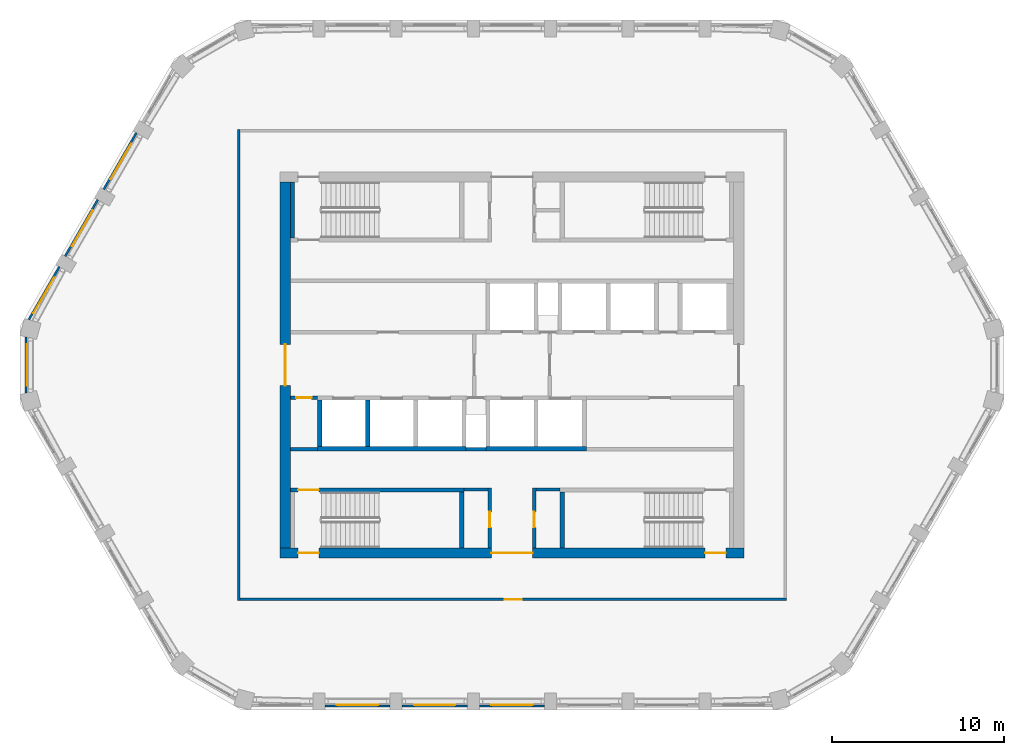
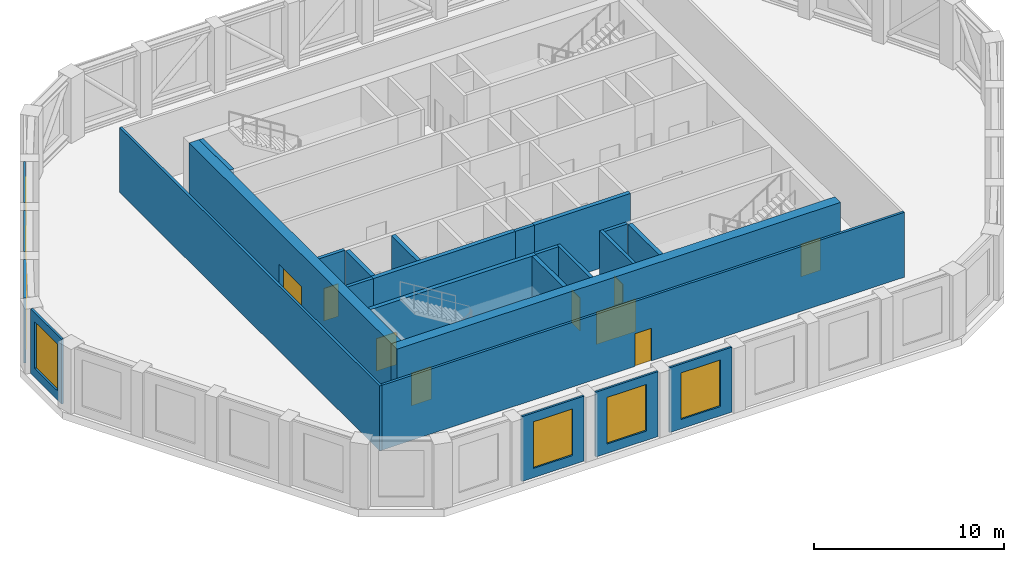
# One storey, part 3 of 14: 26 walls, 9 doors, 7 windows, 16 openings.
"""IFC4 building model written with IfcOpenShell, lengths in metres."""

from ifc_helpers import new_model, si_unit, direction, frame, frame_2d, origin, place, context, subcontext, project, spatial, polyline, rectangle, outline, extrude, material, layer, layer_set, type_object, element, fill, save


model = new_model("IFC4")

# Units and contexts
model_context = context("Model", 3, precision=1e-05, world=origin(), true_north=direction((0.0, 1.0)))
body_context = subcontext(model_context, "Body", "Model", "MODEL_VIEW")
ifc_project = project(units=[si_unit("LENGTHUNIT", "METRE"), si_unit("AREAUNIT", "SQUARE_METRE"), si_unit("VOLUMEUNIT", "CUBIC_METRE"), si_unit("PLANEANGLEUNIT", "RADIAN"), si_unit("MASSUNIT", "GRAM", prefix="KILO")], contexts=[model_context])

# Site, building, storey
site_placement = place(None, origin())
site = spatial("IfcSite", under=ifc_project, at=site_placement, CompositionType="ELEMENT")
building_placement = place(site_placement, origin())
building = spatial("IfcBuilding", under=site, at=building_placement, Name="Dhurran Vertical Campus", CompositionType="ELEMENT")
storey_placement = place(building_placement, frame((0.0, 0.0, 282.0)))
storey = spatial("IfcBuildingStorey", under=building, at=storey_placement, Name="L70 Plant", CompositionType="ELEMENT", Elevation=282.0)

# Wall, opening, window
ifc_material_1 = material(Name="Precast concrete C50/60", Category="concrete")
ifc_layer_1 = layer(ifc_material_1, 0.1201171875)
ifc_layer_set_1 = layer_set([ifc_layer_1], Name="Precast concrete C50/60")
wall_type_1 = type_object("IfcWallType", Name="Precast louvre-bay panel 120", PredefinedType="SOLIDWALL", material=ifc_layer_set_1)
wall_1_placement = place(storey_placement, frame((-10.8994140625, -19.8515625, 0.0), z_axis=(0.0, 0.0, 1.0), x_axis=(1.0, 0.0, 0.0)))
wall_1 = element("IfcWall", 1, at=wall_1_placement, inside=storey, type_object=wall_type_1, Name="EW4 L70.01", PredefinedType="SOLIDWALL", context=body_context, shape_type="SweptSolid", body=[
    extrude(rectangle(XDim=3.798828125, YDim=0.1201171875, at=frame_2d((1.8994140625, 0.0))), origin(), (0.0, 0.0, 1.0), 4.175048828125),
])
opening_1_placement = place(wall_1_placement, frame((0.699462890625, 0.0, 0.60009765625)))
opening_1 = element("IfcOpeningElement", 2, at=opening_1_placement, cuts=wall_1, Name="Opening WT4", PredefinedType="OPENING", context=body_context, shape_type="SweptSolid", body=[
    extrude(rectangle(XDim=2.39990234375, YDim=3.0, at=frame_2d((1.199951171875, 1.5))), frame((0.0, 0.070068359375, 0.0), z_axis=(0.0, -1.0, 0.0), x_axis=(1.0, 0.0, 0.0)), (0.0, 0.0, 1.0), 0.14013671875),
])
ifc_material_2 = material(Name="Aluminium louvre", Category="aluminium")
window_type = type_object("IfcWindowType", Name="Louvred plant vent 2400 x 3000", PartitioningType="SINGLE_PANEL", PredefinedType="WINDOW", material=ifc_material_2)
window_1_placement = place(opening_1_placement, origin())
window_1 = element("IfcWindow", 3, at=window_1_placement, inside=storey, type_object=window_type, Name="WT4 L70.01", OverallHeight=3.0, OverallWidth=2.39990234375, PartitioningType="SINGLE_PANEL", PredefinedType="WINDOW", context=body_context, shape_type="SweptSolid", body=[
    extrude(rectangle(XDim=2.39990234375, YDim=3.0, at=frame_2d((1.199951171875, 1.5))), frame((0.0, 0.06005859375, 0.0), z_axis=(0.0, -1.0, 0.0), x_axis=(1.0, 0.0, 0.0)), (0.0, 0.0, 1.0), 0.02001953125),
])
fill(opening_1, window_1)

wall_2_placement = place(storey_placement, frame((-6.3994140625, -19.8515625, 0.0), z_axis=(0.0, 0.0, 1.0), x_axis=(1.0, 0.0, 0.0)))
wall_2 = element("IfcWall", 4, at=wall_2_placement, inside=storey, type_object=wall_type_1, Name="EW4 L70.02", PredefinedType="SOLIDWALL", context=body_context, shape_type="SweptSolid", body=[
    extrude(rectangle(XDim=3.798828125, YDim=0.1201171875, at=frame_2d((1.8994140625, 0.0))), origin(), (0.0, 0.0, 1.0), 4.175048828125),
])
opening_2_placement = place(wall_2_placement, frame((0.699462890625, 0.0, 0.60009765625)))
opening_2 = element("IfcOpeningElement", 5, at=opening_2_placement, cuts=wall_2, Name="Opening WT4", PredefinedType="OPENING", context=body_context, shape_type="SweptSolid", body=[
    extrude(rectangle(XDim=2.39990234375, YDim=3.0, at=frame_2d((1.199951171875, 1.5))), frame((0.0, 0.070068359375, 0.0), z_axis=(0.0, -1.0, 0.0), x_axis=(1.0, 0.0, 0.0)), (0.0, 0.0, 1.0), 0.14013671875),
])
window_2_placement = place(opening_2_placement, origin())
window_2 = element("IfcWindow", 6, at=window_2_placement, inside=storey, type_object=window_type, Name="WT4 L70.02", OverallHeight=3.0, OverallWidth=2.39990234375, PartitioningType="SINGLE_PANEL", PredefinedType="WINDOW", context=body_context, shape_type="SweptSolid", body=[
    extrude(rectangle(XDim=2.39990234375, YDim=3.0, at=frame_2d((1.199951171875, 1.5))), frame((0.0, 0.06005859375, 0.0), z_axis=(0.0, -1.0, 0.0), x_axis=(1.0, 0.0, 0.0)), (0.0, 0.0, 1.0), 0.02001953125),
])
fill(opening_2, window_2)

wall_3_placement = place(storey_placement, frame((-1.8994140625, -19.8515625, 0.0), z_axis=(0.0, 0.0, 1.0), x_axis=(1.0, 0.0, 0.0)))
wall_3 = element("IfcWall", 7, at=wall_3_placement, inside=storey, type_object=wall_type_1, Name="EW4 L70.03", PredefinedType="SOLIDWALL", context=body_context, shape_type="SweptSolid", body=[
    extrude(rectangle(XDim=3.798828125, YDim=0.1201171875, at=frame_2d((1.8994140625, 0.0))), origin(), (0.0, 0.0, 1.0), 4.175048828125),
])
opening_3_placement = place(wall_3_placement, frame((0.699462890625, 0.0, 0.60009765625)))
opening_3 = element("IfcOpeningElement", 8, at=opening_3_placement, cuts=wall_3, Name="Opening WT4", PredefinedType="OPENING", context=body_context, shape_type="SweptSolid", body=[
    extrude(rectangle(XDim=2.39990234375, YDim=3.0, at=frame_2d((1.199951171875, 1.5))), frame((0.0, 0.070068359375, 0.0), z_axis=(0.0, -1.0, 0.0), x_axis=(1.0, 0.0, 0.0)), (0.0, 0.0, 1.0), 0.14013671875),
])
window_3_placement = place(opening_3_placement, origin())
window_3 = element("IfcWindow", 9, at=window_3_placement, inside=storey, type_object=window_type, Name="WT4 L70.03", OverallHeight=3.0, OverallWidth=2.39990234375, PartitioningType="SINGLE_PANEL", PredefinedType="WINDOW", context=body_context, shape_type="SweptSolid", body=[
    extrude(rectangle(XDim=2.39990234375, YDim=3.0, at=frame_2d((1.199951171875, 1.5))), frame((0.0, 0.06005859375, 0.0), z_axis=(0.0, -1.0, 0.0), x_axis=(1.0, 0.0, 0.0)), (0.0, 0.0, 1.0), 0.02001953125),
])
fill(opening_3, window_3)

wall_4_placement = place(storey_placement, frame((-21.8671875, 13.519287109375, 0.0), z_axis=(0.0, 0.0, 1.0), x_axis=(-0.499982058975, -0.866035761792, 0.0)))
wall_4 = element("IfcWall", 10, at=wall_4_placement, inside=storey, type_object=wall_type_1, Name="EW4 L70.27", PredefinedType="SOLIDWALL", context=body_context, shape_type="SweptSolid", body=[
    extrude(rectangle(XDim=3.799072265625, YDim=0.1201171875, at=frame_2d((1.8994140625, 0.0))), origin(), (0.0, 0.0, 1.0), 4.175048828125),
])
opening_4_placement = place(wall_4_placement, frame((0.699462890625, 0.0, 0.60009765625)))
opening_4 = element("IfcOpeningElement", 11, at=opening_4_placement, cuts=wall_4, Name="Opening WT4", PredefinedType="OPENING", context=body_context, shape_type="SweptSolid", body=[
    extrude(rectangle(XDim=2.39990234375, YDim=3.0, at=frame_2d((1.199951171875, 1.5))), frame((0.0, 0.070068359375, 0.0), z_axis=(0.0, -1.0, 0.0), x_axis=(1.0, 0.0, 0.0)), (0.0, 0.0, 1.0), 0.14013671875),
])
window_4_placement = place(opening_4_placement, origin())
window_4 = element("IfcWindow", 12, at=window_4_placement, inside=storey, type_object=window_type, Name="WT4 L70.27", OverallHeight=3.0, OverallWidth=2.39990234375, PartitioningType="SINGLE_PANEL", PredefinedType="WINDOW", context=body_context, shape_type="SweptSolid", body=[
    extrude(rectangle(XDim=2.39990234375, YDim=3.0, at=frame_2d((1.199951171875, 1.5))), frame((0.0, 0.06005859375, 0.0), z_axis=(0.0, -1.0, 0.0), x_axis=(1.0, 0.0, 0.0)), (0.0, 0.0, 1.0), 0.02001953125),
])
fill(opening_4, window_4)

wall_5_placement = place(storey_placement, frame((-24.1171875, 9.622314453125, 0.0), z_axis=(0.0, 0.0, 1.0), x_axis=(-0.499982058975, -0.866035761792, 0.0)))
wall_5 = element("IfcWall", 13, at=wall_5_placement, inside=storey, type_object=wall_type_1, Name="EW4 L70.28", PredefinedType="SOLIDWALL", context=body_context, shape_type="SweptSolid", body=[
    extrude(rectangle(XDim=3.799072265625, YDim=0.1201171875, at=frame_2d((1.8994140625, 0.0))), origin(), (0.0, 0.0, 1.0), 4.175048828125),
])
opening_5_placement = place(wall_5_placement, frame((0.699462890625, 0.0, 0.60009765625)))
opening_5 = element("IfcOpeningElement", 14, at=opening_5_placement, cuts=wall_5, Name="Opening WT4", PredefinedType="OPENING", context=body_context, shape_type="SweptSolid", body=[
    extrude(rectangle(XDim=2.39990234375, YDim=3.0, at=frame_2d((1.199951171875, 1.5))), frame((0.0, 0.070068359375, 0.0), z_axis=(0.0, -1.0, 0.0), x_axis=(1.0, 0.0, 0.0)), (0.0, 0.0, 1.0), 0.14013671875),
])
window_5_placement = place(opening_5_placement, origin())
window_5 = element("IfcWindow", 15, at=window_5_placement, inside=storey, type_object=window_type, Name="WT4 L70.28", OverallHeight=3.0, OverallWidth=2.39990234375, PartitioningType="SINGLE_PANEL", PredefinedType="WINDOW", context=body_context, shape_type="SweptSolid", body=[
    extrude(rectangle(XDim=2.39990234375, YDim=3.0, at=frame_2d((1.199951171875, 1.5))), frame((0.0, 0.06005859375, 0.0), z_axis=(0.0, -1.0, 0.0), x_axis=(1.0, 0.0, 0.0)), (0.0, 0.0, 1.0), 0.02001953125),
])
fill(opening_5, window_5)

wall_6_placement = place(storey_placement, frame((-26.354736328125, 5.718017578125, 0.0), z_axis=(0.0, 0.0, 1.0), x_axis=(-0.499994435258, -0.866028616566, 0.0)))
wall_6 = element("IfcWall", 16, at=wall_6_placement, inside=storey, type_object=wall_type_1, Name="EW4 L70.29", PredefinedType="SOLIDWALL", context=body_context, shape_type="SweptSolid", body=[
    extrude(rectangle(XDim=3.54833984375, YDim=0.1201171875, at=frame_2d((1.774169921875, 0.0))), origin(), (0.0, 0.0, 1.0), 4.175048828125),
])
opening_6_placement = place(wall_6_placement, frame((0.699462890625, 0.0, 0.60009765625)))
opening_6 = element("IfcOpeningElement", 17, at=opening_6_placement, cuts=wall_6, Name="Opening WT4", PredefinedType="OPENING", context=body_context, shape_type="SweptSolid", body=[
    extrude(rectangle(XDim=2.39990234375, YDim=3.0, at=frame_2d((1.199951171875, 1.5))), frame((0.0, 0.070068359375, 0.0), z_axis=(0.0, -1.0, 0.0), x_axis=(1.0, 0.0, 0.0)), (0.0, 0.0, 1.0), 0.14013671875),
])
window_6_placement = place(opening_6_placement, origin())
window_6 = element("IfcWindow", 18, at=window_6_placement, inside=storey, type_object=window_type, Name="WT4 L70.29", OverallHeight=3.0, OverallWidth=2.39990234375, PartitioningType="SINGLE_PANEL", PredefinedType="WINDOW", context=body_context, shape_type="SweptSolid", body=[
    extrude(rectangle(XDim=2.39990234375, YDim=3.0, at=frame_2d((1.199951171875, 1.5))), frame((0.0, 0.06005859375, 0.0), z_axis=(0.0, -1.0, 0.0), x_axis=(1.0, 0.0, 0.0)), (0.0, 0.0, 1.0), 0.02001953125),
])
fill(opening_6, window_6)

wall_7_placement = place(storey_placement, frame((-28.297607421875, 1.622314453125, 0.0), z_axis=(0.0, 0.0, 1.0), x_axis=(0.0, -1.0, 0.0)))
wall_7 = element("IfcWall", 19, at=wall_7_placement, inside=storey, type_object=wall_type_1, Name="EW4 L70.30", PredefinedType="SOLIDWALL", context=body_context, shape_type="SweptSolid", body=[
    extrude(rectangle(XDim=3.24462890625, YDim=0.1201171875, at=frame_2d((1.622314453125, 0.0))), origin(), (0.0, 0.0, 1.0), 4.175048828125),
])
opening_7_placement = place(wall_7_placement, frame((0.42236328125, 0.0, 0.60009765625)))
opening_7 = element("IfcOpeningElement", 20, at=opening_7_placement, cuts=wall_7, Name="Opening WT4", PredefinedType="OPENING", context=body_context, shape_type="SweptSolid", body=[
    extrude(rectangle(XDim=2.39990234375, YDim=3.0, at=frame_2d((1.199951171875, 1.5))), frame((0.0, 0.070068359375, 0.0), z_axis=(0.0, -1.0, 0.0), x_axis=(1.0, 0.0, 0.0)), (0.0, 0.0, 1.0), 0.14013671875),
])
window_7_placement = place(opening_7_placement, origin())
window_7 = element("IfcWindow", 21, at=window_7_placement, inside=storey, type_object=window_type, Name="WT4 L70.30", OverallHeight=3.0, OverallWidth=2.39990234375, PartitioningType="SINGLE_PANEL", PredefinedType="WINDOW", context=body_context, shape_type="SweptSolid", body=[
    extrude(rectangle(XDim=2.39990234375, YDim=3.0, at=frame_2d((1.199951171875, 1.5))), frame((0.0, 0.06005859375, 0.0), z_axis=(0.0, -1.0, 0.0), x_axis=(1.0, 0.0, 0.0)), (0.0, 0.0, 1.0), 0.02001953125),
])
fill(opening_7, window_7)

# Wall, openings, doors
ifc_material_3 = material(Name="Concrete C50/60", Category="concrete")
ifc_layer_2 = layer(ifc_material_3, 0.60009765625)
ifc_layer_set_2 = layer_set([ifc_layer_2], Name="Concrete C50/60")
wall_type_2 = type_object("IfcWallType", Name="co-CORE-WALL-C2-600", PredefinedType="SHEAR", material=ifc_layer_set_2)
wall_8_placement = place(storey_placement, frame((-13.5, -10.949951171875, 0.0), z_axis=(0.0, 0.0, 1.0), x_axis=(1.0, 0.0, 0.0)))
wall_8 = element("IfcWall", 22, at=wall_8_placement, inside=storey, type_object=wall_type_2, Name="Core wall S L70", PredefinedType="SHEAR", context=body_context, shape_type="SweptSolid", body=[
    extrude(rectangle(XDim=27.0, YDim=0.60009765625, at=frame_2d((13.5, 0.0))), origin(), (0.0, 0.0, 1.0), 4.175048828125),
])
opening_8_placement = place(wall_8_placement, frame((12.300048828125, 0.0, 0.0)))
opening_8 = element("IfcOpeningElement", 23, at=opening_8_placement, cuts=wall_8, Name="Opening CV2", PredefinedType="OPENING", context=body_context, shape_type="SweptSolid", body=[
    extrude(rectangle(XDim=2.39990234375, YDim=2.10009765625, at=frame_2d((1.199951171875, 1.050048828125))), frame((0.0, 0.31005859375, 0.0), z_axis=(0.0, -1.0, 0.0), x_axis=(1.0, 0.0, 0.0)), (0.0, 0.0, 1.0), 0.6201171875),
])
opening_9_placement = place(wall_8_placement, frame((1.050048828125, 0.0, 0.0)))
opening_9 = element("IfcOpeningElement", 24, at=opening_9_placement, cuts=wall_8, Name="Opening XD3", PredefinedType="OPENING", context=body_context, shape_type="SweptSolid", body=[
    extrude(rectangle(XDim=1.199951171875, YDim=2.10009765625, at=frame_2d((0.60009765625, 1.050048828125))), frame((0.0, 0.31005859375, 0.0), z_axis=(0.0, -1.0, 0.0), x_axis=(1.0, 0.0, 0.0)), (0.0, 0.0, 1.0), 0.6201171875),
])
opening_10_placement = place(wall_8_placement, frame((24.75, 0.0, 0.0)))
opening_10 = element("IfcOpeningElement", 25, at=opening_10_placement, cuts=wall_8, Name="Opening XD4", PredefinedType="OPENING", context=body_context, shape_type="SweptSolid", body=[
    extrude(rectangle(XDim=1.199951171875, YDim=2.10009765625, at=frame_2d((0.60009765625, 1.050048828125))), frame((0.0, 0.31005859375, 0.0), z_axis=(0.0, -1.0, 0.0), x_axis=(1.0, 0.0, 0.0)), (0.0, 0.0, 1.0), 0.6201171875),
])
ifc_material_4 = material(Name="Fire-rated glazed door set")
door_type_1 = type_object("IfcDoorType", Name="co-D-LOBBY 2400x2100", OperationType="DOUBLE_DOOR_DOUBLE_SWING", PredefinedType="DOOR", material=ifc_material_4)
door_1_placement = place(opening_8_placement, origin())
door_1 = element("IfcDoor", 26, at=door_1_placement, inside=storey, type_object=door_type_1, Name="Core vestibule door S L70", OperationType="DOUBLE_DOOR_DOUBLE_SWING", OverallHeight=2.10009765625, OverallWidth=2.39990234375, PredefinedType="DOOR", context=body_context, shape_type="SweptSolid", body=[
    extrude(rectangle(XDim=2.39990234375, YDim=2.10009765625, at=frame_2d((1.199951171875, 1.050048828125))), frame((0.0, 0.02490234375, 0.0), z_axis=(0.0, -1.0, 0.0), x_axis=(1.0, 0.0, 0.0)), (0.0, 0.0, 1.0), 0.050048828125),
])
fill(opening_8, door_1)
ifc_material_5 = material(Name="Fire-rated steel door set", Category="steel")
door_type_2 = type_object("IfcDoorType", Name="co-D-STAIR-EXIT 1200x2100", OperationType="SINGLE_SWING_RIGHT", PredefinedType="DOOR", material=ifc_material_5)
door_2_placement = place(opening_9_placement, origin())
door_2 = element("IfcDoor", 27, at=door_2_placement, inside=storey, type_object=door_type_2, Name="Stair ST3 exit door L70", OperationType="SINGLE_SWING_RIGHT", OverallHeight=2.10009765625, OverallWidth=1.199951171875, PredefinedType="DOOR", context=body_context, shape_type="SweptSolid", body=[
    extrude(rectangle(XDim=1.199951171875, YDim=2.10009765625, at=frame_2d((0.60009765625, 1.050048828125))), frame((0.0, 0.02490234375, 0.0), z_axis=(0.0, -1.0, 0.0), x_axis=(1.0, 0.0, 0.0)), (0.0, 0.0, 1.0), 0.050048828125),
])
fill(opening_9, door_2)
door_3_placement = place(opening_10_placement, origin())
door_3 = element("IfcDoor", 28, at=door_3_placement, inside=storey, type_object=door_type_2, Name="Stair ST4 exit door L70", OperationType="SINGLE_SWING_RIGHT", OverallHeight=2.10009765625, OverallWidth=1.199951171875, PredefinedType="DOOR", context=body_context, shape_type="SweptSolid", body=[
    extrude(rectangle(XDim=1.199951171875, YDim=2.10009765625, at=frame_2d((0.60009765625, 1.050048828125))), frame((0.0, 0.02490234375, 0.0), z_axis=(0.0, -1.0, 0.0), x_axis=(1.0, 0.0, 0.0)), (0.0, 0.0, 1.0), 0.050048828125),
])
fill(opening_10, door_3)

# Wall, opening, door
wall_9_placement = place(storey_placement, frame((-13.199951171875, -10.64990234375, 0.0), z_axis=(0.0, 0.0, 1.0), x_axis=(0.0, 1.0, 0.0)))
wall_9 = element("IfcWall", 29, at=wall_9_placement, inside=storey, type_object=wall_type_2, Name="Core wall W L70", PredefinedType="SHEAR", context=body_context, shape_type="SweptSolid", body=[
    extrude(rectangle(XDim=21.2998046875, YDim=0.60009765625, at=frame_2d((10.64990234375, 0.0))), origin(), (0.0, 0.0, 1.0), 4.175048828125),
])
opening_11_placement = place(wall_9_placement, frame((9.449951171875, 0.0, 0.0)))
opening_11 = element("IfcOpeningElement", 30, at=opening_11_placement, cuts=wall_9, Name="Opening CL1", PredefinedType="OPENING", context=body_context, shape_type="SweptSolid", body=[
    extrude(rectangle(XDim=2.39990234375, YDim=2.10009765625, at=frame_2d((1.199951171875, 1.050048828125))), frame((0.0, 0.31005859375, 0.0), z_axis=(0.0, -1.0, 0.0), x_axis=(1.0, 0.0, 0.0)), (0.0, 0.0, 1.0), 0.6201171875),
])
door_4_placement = place(opening_11_placement, origin())
door_4 = element("IfcDoor", 31, at=door_4_placement, inside=storey, type_object=door_type_1, Name="Lift lobby door W L70", OperationType="DOUBLE_DOOR_DOUBLE_SWING", OverallHeight=2.10009765625, OverallWidth=2.39990234375, PredefinedType="DOOR", context=body_context, shape_type="SweptSolid", body=[
    extrude(rectangle(XDim=2.39990234375, YDim=2.10009765625, at=frame_2d((1.199951171875, 1.050048828125))), frame((0.0, 0.02490234375, 0.0), z_axis=(0.0, -1.0, 0.0), x_axis=(1.0, 0.0, 0.0)), (0.0, 0.0, 1.0), 0.050048828125),
])
fill(opening_11, door_4)

# Walls
ifc_material_6 = material(Name="Fire-rated masonry blockwork", Category="masonry")
ifc_layer_3 = layer(ifc_material_6, 0.199951171875)
ifc_layer_set_3 = layer_set([ifc_layer_3], Name="Fire-rated masonry blockwork")
wall_type_3 = type_object("IfcWallType", Name="co-FIRE-PARTITION-200", PredefinedType="PARTITIONING", material=ifc_layer_set_3)
for number, where, z_axis, x_axis, name in (
    (32, (-2.800048828125, -7.25, 0.0), (0.0, 0.0, 1.0), (1.0, 0.0, 0.0), "Core partition sl-SW-S L70"),
    (33, (1.39990234375, -7.25, 0.0), (0.0, 0.0, 1.0), (1.0, 0.0, 0.0), "Core partition sl-SE-S L70"),
):
    element("IfcWall", number, at=place(storey_placement, frame(where, z_axis=z_axis, x_axis=x_axis)), inside=storey, type_object=wall_type_3, Name=name, PredefinedType="PARTITIONING", context=body_context, shape_type="SweptSolid", body=[
        extrude(rectangle(XDim=1.400146484375, YDim=0.199951171875, at=frame_2d((0.7001953125, 0.0))), origin(), (0.0, 0.0, 1.0), 4.175048828125),
    ])

# Wall, opening, door
wall_10_placement = place(storey_placement, frame((-1.300048828125, -10.64990234375, 0.0), z_axis=(0.0, 0.0, 1.0), x_axis=(0.0, 1.0, 0.0)))
wall_10 = element("IfcWall", 34, at=wall_10_placement, inside=storey, type_object=wall_type_3, Name="Core partition vest-SW L70", PredefinedType="PARTITIONING", context=body_context, shape_type="SweptSolid", body=[
    extrude(rectangle(XDim=3.5, YDim=0.199951171875, at=frame_2d((1.75, 0.0))), origin(), (0.0, 0.0, 1.0), 4.175048828125),
])
opening_12_placement = place(wall_10_placement, frame((1.199951171875, 0.0, 0.0)))
opening_12 = element("IfcOpeningElement", 35, at=opening_12_placement, cuts=wall_10, Name="Opening BR70-C1", PredefinedType="OPENING", context=body_context, shape_type="SweptSolid", body=[
    extrude(rectangle(XDim=0.89990234375, YDim=2.10009765625, at=frame_2d((0.449951171875, 1.050048828125))), frame((0.0, 0.10986328125, 0.0), z_axis=(0.0, -1.0, 0.0), x_axis=(1.0, 0.0, 0.0)), (0.0, 0.0, 1.0), 0.219970703125),
])
ifc_material_7 = material(Name="Fire-rated timber door set", Category="wood")
door_type_3 = type_object("IfcDoorType", Name="co-D-ROOM 900x2100", OperationType="SINGLE_SWING_LEFT", PredefinedType="DOOR", material=ifc_material_7)
door_5_placement = place(opening_12_placement, origin())
door_5 = element("IfcDoor", 36, at=door_5_placement, inside=storey, type_object=door_type_3, Name="Water tank room door L70", OperationType="SINGLE_SWING_LEFT", OverallHeight=2.10009765625, OverallWidth=0.89990234375, PredefinedType="DOOR", context=body_context, shape_type="SweptSolid", body=[
    extrude(rectangle(XDim=0.89990234375, YDim=2.10009765625, at=frame_2d((0.449951171875, 1.050048828125))), frame((0.0, 0.02490234375, 0.0), z_axis=(0.0, -1.0, 0.0), x_axis=(1.0, 0.0, 0.0)), (0.0, 0.0, 1.0), 0.050048828125),
])
fill(opening_12, door_5)

wall_11_placement = place(storey_placement, frame((1.300048828125, -10.64990234375, 0.0), z_axis=(0.0, 0.0, 1.0), x_axis=(0.0, 1.0, 0.0)))
wall_11 = element("IfcWall", 37, at=wall_11_placement, inside=storey, type_object=wall_type_3, Name="Core partition vest-SE L70", PredefinedType="PARTITIONING", context=body_context, shape_type="SweptSolid", body=[
    extrude(rectangle(XDim=3.5, YDim=0.199951171875, at=frame_2d((1.75, 0.0))), origin(), (0.0, 0.0, 1.0), 4.175048828125),
])
opening_13_placement = place(wall_11_placement, frame((1.199951171875, 0.0, 0.0)))
opening_13 = element("IfcOpeningElement", 38, at=opening_13_placement, cuts=wall_11, Name="Opening BR70-C2", PredefinedType="OPENING", context=body_context, shape_type="SweptSolid", body=[
    extrude(rectangle(XDim=0.89990234375, YDim=2.10009765625, at=frame_2d((0.449951171875, 1.050048828125))), frame((0.0, 0.10986328125, 0.0), z_axis=(0.0, -1.0, 0.0), x_axis=(1.0, 0.0, 0.0)), (0.0, 0.0, 1.0), 0.219970703125),
])
door_6_placement = place(opening_13_placement, origin())
door_6 = element("IfcDoor", 39, at=door_6_placement, inside=storey, type_object=door_type_3, Name="Electrical plant room door L70", OperationType="SINGLE_SWING_LEFT", OverallHeight=2.10009765625, OverallWidth=0.89990234375, PredefinedType="DOOR", context=body_context, shape_type="SweptSolid", body=[
    extrude(rectangle(XDim=0.89990234375, YDim=2.10009765625, at=frame_2d((0.449951171875, 1.050048828125))), frame((0.0, 0.02490234375, 0.0), z_axis=(0.0, -1.0, 0.0), x_axis=(1.0, 0.0, 0.0)), (0.0, 0.0, 1.0), 0.050048828125),
])
fill(opening_13, door_6)

wall_12_placement = place(storey_placement, frame((-12.89990234375, -1.89990234375, 0.0), z_axis=(0.0, 0.0, 1.0), x_axis=(1.0, 0.0, 0.0)))
wall_12 = element("IfcWall", 40, at=wall_12_placement, inside=storey, type_object=wall_type_3, Name="Core partition fr-S0-f L70", PredefinedType="PARTITIONING", context=body_context, shape_type="SweptSolid", body=[
    extrude(rectangle(XDim=1.574951171875, YDim=0.199951171875, at=frame_2d((0.78759765625, 0.0))), origin(), (0.0, 0.0, 1.0), 4.175048828125),
])
opening_14_placement = place(wall_12_placement, frame((0.33740234375, 0.0, 0.0)))
opening_14 = element("IfcOpeningElement", 41, at=opening_14_placement, cuts=wall_12, Name="Opening BR70-C9", PredefinedType="OPENING", context=body_context, shape_type="SweptSolid", body=[
    extrude(rectangle(XDim=0.89990234375, YDim=2.10009765625, at=frame_2d((0.449951171875, 1.050048828125))), frame((0.0, 0.10986328125, 0.0), z_axis=(0.0, -1.0, 0.0), x_axis=(1.0, 0.0, 0.0)), (0.0, 0.0, 1.0), 0.219970703125),
])
door_7_placement = place(opening_14_placement, origin())
door_7 = element("IfcDoor", 42, at=door_7_placement, inside=storey, type_object=door_type_3, Name="Electrical riser door L70", OperationType="SINGLE_SWING_LEFT", OverallHeight=2.10009765625, OverallWidth=0.89990234375, PredefinedType="DOOR", context=body_context, shape_type="SweptSolid", body=[
    extrude(rectangle(XDim=0.89990234375, YDim=2.10009765625, at=frame_2d((0.449951171875, 1.050048828125))), frame((0.0, 0.02490234375, 0.0), z_axis=(0.0, -1.0, 0.0), x_axis=(1.0, 0.0, 0.0)), (0.0, 0.0, 1.0), 0.050048828125),
])
fill(opening_14, door_7)

# Walls
wall_13_placement = place(storey_placement, frame((-12.89990234375, -4.89990234375, 0.0), z_axis=(0.0, 0.0, 1.0), x_axis=(1.0, 0.0, 0.0)))
element("IfcWall", 43, at=wall_13_placement, inside=storey, type_object=wall_type_3, Name="Core partition fr-S0-b L70", PredefinedType="PARTITIONING", context=body_context, shape_type="SweptSolid", body=[
    extrude(rectangle(XDim=1.574951171875, YDim=0.199951171875, at=frame_2d((0.78759765625, 0.0))), origin(), (0.0, 0.0, 1.0), 4.175048828125),
])
wall_14_placement = place(storey_placement, frame((-2.675048828125, -4.89990234375, 0.0), z_axis=(0.0, 0.0, 1.0), x_axis=(1.0, 0.0, 0.0)))
element("IfcWall", 44, at=wall_14_placement, inside=storey, type_object=wall_type_3, Name="Core partition fr-S1-b L70", PredefinedType="PARTITIONING", context=body_context, shape_type="SweptSolid", body=[
    extrude(rectangle(XDim=1.150146484375, YDim=0.199951171875, at=frame_2d((0.5751953125, 0.0))), origin(), (0.0, 0.0, 1.0), 4.175048828125),
])
ifc_material_8 = material(Name="Concrete C50/60", Category="concrete")
ifc_layer_4 = layer(ifc_material_8, 0.25)
ifc_layer_set_4 = layer_set([ifc_layer_4], Name="Concrete C50/60")
wall_type_4 = type_object("IfcWallType", Name="co-SHAFT-MASS-250", PredefinedType="SHEAR", material=ifc_layer_set_4)
wall_15_placement = place(storey_placement, origin())
element("IfcWall", 45, at=wall_15_placement, inside=storey, type_object=wall_type_4, Name="Lift shaft wall S L70 1", PredefinedType="SHEAR", context=body_context, shape_type="SweptSolid", body=[
    extrude(outline(polyline([(-11.324951171875, -5.0), (-2.675048828125, -5.0), (-2.675048828125, -4.75), (-11.324951171875, -4.75), (-11.324951171875, -5.0)])), origin(), (0.0, 0.0, 1.0), 4.175048828125),
])
wall_16_placement = place(storey_placement, origin())
element("IfcWall", 46, at=wall_16_placement, inside=storey, type_object=wall_type_4, Name="Lift shaft wall S L70 2", PredefinedType="SHEAR", context=body_context, shape_type="SweptSolid", body=[
    extrude(outline(polyline([(-1.52490234375, -5.0), (4.324951171875, -5.0), (4.324951171875, -4.75), (-1.52490234375, -4.75), (-1.52490234375, -5.0)])), origin(), (0.0, 0.0, 1.0), 4.175048828125),
])
wall_17_placement = place(storey_placement, origin())
element("IfcWall", 47, at=wall_17_placement, inside=storey, type_object=wall_type_4, Name="Lift shaft wall S L70 3", PredefinedType="SHEAR", context=body_context, shape_type="SweptSolid", body=[
    extrude(outline(polyline([(-11.324951171875, -4.75), (-11.074951171875, -4.75), (-11.074951171875, -2.050048828125), (-11.324951171875, -2.050048828125), (-11.324951171875, -4.75)])), origin(), (0.0, 0.0, 1.0), 4.175048828125),
])
wall_18_placement = place(storey_placement, origin())
element("IfcWall", 48, at=wall_18_placement, inside=storey, type_object=wall_type_4, Name="Lift shaft wall S L70 4", PredefinedType="SHEAR", context=body_context, shape_type="SweptSolid", body=[
    extrude(outline(polyline([(-8.52490234375, -4.75), (-8.27490234375, -4.75), (-8.27490234375, -2.050048828125), (-8.52490234375, -2.050048828125), (-8.52490234375, -4.75)])), origin(), (0.0, 0.0, 1.0), 4.175048828125),
])
ifc_material_9 = material(Name="Concrete C40/50", Category="concrete")
ifc_layer_5 = layer(ifc_material_9, 0.25)
ifc_layer_set_5 = layer_set([ifc_layer_5], Name="Concrete C40/50")
wall_type_5 = type_object("IfcWallType", Name="co-STAIR-WALL-250", PredefinedType="SHEAR", material=ifc_layer_set_5)
wall_19_placement = place(storey_placement, frame((-12.77490234375, 7.39990234375, 0.0), z_axis=(0.0, 0.0, 1.0), x_axis=(0.0, 1.0, 0.0)))
element("IfcWall", 49, at=wall_19_placement, inside=storey, type_object=wall_type_5, Name="Stair ST1 enclosure wall L70", PredefinedType="SHEAR", context=body_context, shape_type="SweptSolid", body=[
    extrude(rectangle(XDim=3.25, YDim=0.25, at=frame_2d((1.625, 0.0))), origin(), (0.0, 0.0, 1.0), 4.175048828125),
])

# Wall, opening, door
wall_20_placement = place(storey_placement, frame((-12.89990234375, -7.27490234375, 0.0), z_axis=(0.0, 0.0, 1.0), x_axis=(1.0, 0.0, 0.0)))
wall_20 = element("IfcWall", 50, at=wall_20_placement, inside=storey, type_object=wall_type_5, Name="Stair ST3 enclosure wall L70", PredefinedType="SHEAR", context=body_context, shape_type="SweptSolid", body=[
    extrude(rectangle(XDim=10.099853515625, YDim=0.25, at=frame_2d((5.0498046875, 0.0))), origin(), (0.0, 0.0, 1.0), 4.175048828125),
])
opening_15_placement = place(wall_20_placement, frame((0.449951171875, 0.0, 0.0)))
opening_15 = element("IfcOpeningElement", 51, at=opening_15_placement, cuts=wall_20, Name="Opening SD3", PredefinedType="OPENING", context=body_context, shape_type="SweptSolid", body=[
    extrude(rectangle(XDim=1.199951171875, YDim=2.10009765625, at=frame_2d((0.60009765625, 1.050048828125))), frame((0.0, 0.135009765625, 0.0), z_axis=(0.0, -1.0, 0.0), x_axis=(1.0, 0.0, 0.0)), (0.0, 0.0, 1.0), 0.27001953125),
])
ifc_material_10 = material(Name="Fire-rated steel door set", Category="steel")
door_type_4 = type_object("IfcDoorType", Name="co-D-STAIR 1200x2100", OperationType="SINGLE_SWING_LEFT", PredefinedType="DOOR", material=ifc_material_10)
door_8_placement = place(opening_15_placement, origin())
door_8 = element("IfcDoor", 52, at=door_8_placement, inside=storey, type_object=door_type_4, Name="Stair ST3 door L70", OperationType="SINGLE_SWING_LEFT", OverallHeight=2.10009765625, OverallWidth=1.199951171875, PredefinedType="DOOR", context=body_context, shape_type="SweptSolid", body=[
    extrude(rectangle(XDim=1.199951171875, YDim=2.10009765625, at=frame_2d((0.60009765625, 1.050048828125))), frame((0.0, 0.02490234375, 0.0), z_axis=(0.0, -1.0, 0.0), x_axis=(1.0, 0.0, 0.0)), (0.0, 0.0, 1.0), 0.050048828125),
])
fill(opening_15, door_8)

# Walls
for number, where, z_axis, x_axis, name in (
    (53, (-2.925048828125, -10.64990234375, 0.0), (0.0, 0.0, 1.0), (0.0, 1.0, 0.0), "Stair ST3 enclosure wall L70"),
    (54, (2.925048828125, -10.64990234375, 0.0), (0.0, 0.0, 1.0), (0.0, 1.0, 0.0), "Stair ST4 enclosure wall L70"),
):
    element("IfcWall", number, at=place(storey_placement, frame(where, z_axis=z_axis, x_axis=x_axis)), inside=storey, type_object=wall_type_5, Name=name, PredefinedType="SHEAR", context=body_context, shape_type="SweptSolid", body=[
        extrude(rectangle(XDim=3.25, YDim=0.25, at=frame_2d((1.625, 0.0))), origin(), (0.0, 0.0, 1.0), 4.175048828125),
    ])
ifc_material_11 = material(Name="Gypsum board corridor wall on steel studs", Category="steel")
ifc_layer_6 = layer(ifc_material_11, 0.14990234375)
ifc_layer_set_6 = layer_set([ifc_layer_6], Name="Gypsum board corridor wall on steel studs")
wall_type_6 = type_object("IfcWallType", Name="fl-CW-150 corridor wall", PredefinedType="PARTITIONING", material=ifc_layer_set_6)
wall_21_placement = place(storey_placement, frame((-15.89990234375, 13.72509765625, 0.0), z_axis=(0.0, 0.0, 1.0), x_axis=(0.0, -1.0, 0.0)))
element("IfcWall", 55, at=wall_21_placement, inside=storey, type_object=wall_type_6, Name="Partition 70-01", PredefinedType="PARTITIONING", context=body_context, shape_type="SweptSolid", body=[
    extrude(rectangle(XDim=27.4501953125, YDim=0.14990234375, at=frame_2d((13.72509765625, 0.0))), origin(), (0.0, 0.0, 1.0), 4.175048828125),
])

# Wall, opening, door
wall_22_placement = place(storey_placement, frame((-15.824951171875, -13.64990234375, 0.0), z_axis=(0.0, 0.0, 1.0), x_axis=(1.0, 0.0, 0.0)))
wall_22 = element("IfcWall", 56, at=wall_22_placement, inside=storey, type_object=wall_type_6, Name="Partition 70-02", PredefinedType="PARTITIONING", context=body_context, shape_type="SweptSolid", body=[
    extrude(rectangle(XDim=31.800048828125, YDim=0.14990234375, at=frame_2d((15.89990234375, 0.0))), origin(), (0.0, 0.0, 1.0), 4.175048828125),
])
opening_16_placement = place(wall_22_placement, frame((15.39990234375, 0.0, 0.0)))
opening_16 = element("IfcOpeningElement", 57, at=opening_16_placement, cuts=wall_22, Name="Opening BR70.01", PredefinedType="OPENING", context=body_context, shape_type="SweptSolid", body=[
    extrude(rectangle(XDim=1.0, YDim=2.10009765625, at=frame_2d((0.5, 1.050048828125))), frame((0.0, 0.0849609375, 0.0), z_axis=(0.0, -1.0, 0.0), x_axis=(1.0, 0.0, 0.0)), (0.0, 0.0, 1.0), 0.169921875),
])
ifc_material_12 = material(Name="Solid-core timber door set, fire-rated", Category="wood")
door_type_5 = type_object("IfcDoorType", Name="fl-D-1000x2100", OperationType="SINGLE_SWING_LEFT", PredefinedType="DOOR", material=ifc_material_12)
door_9_placement = place(opening_16_placement, origin())
door_9 = element("IfcDoor", 58, at=door_9_placement, inside=storey, type_object=door_type_5, Name="Door 70.01", OperationType="SINGLE_SWING_RIGHT", OverallHeight=2.10009765625, OverallWidth=1.0, PredefinedType="DOOR", context=body_context, shape_type="SweptSolid", body=[
    extrude(rectangle(XDim=1.0, YDim=2.10009765625, at=frame_2d((0.5, 1.050048828125))), frame((0.0, 0.02490234375, 0.0), z_axis=(0.0, -1.0, 0.0), x_axis=(1.0, 0.0, 0.0)), (0.0, 0.0, 1.0), 0.050048828125),
])
fill(opening_16, door_9)

save(model, "model.ifc")
